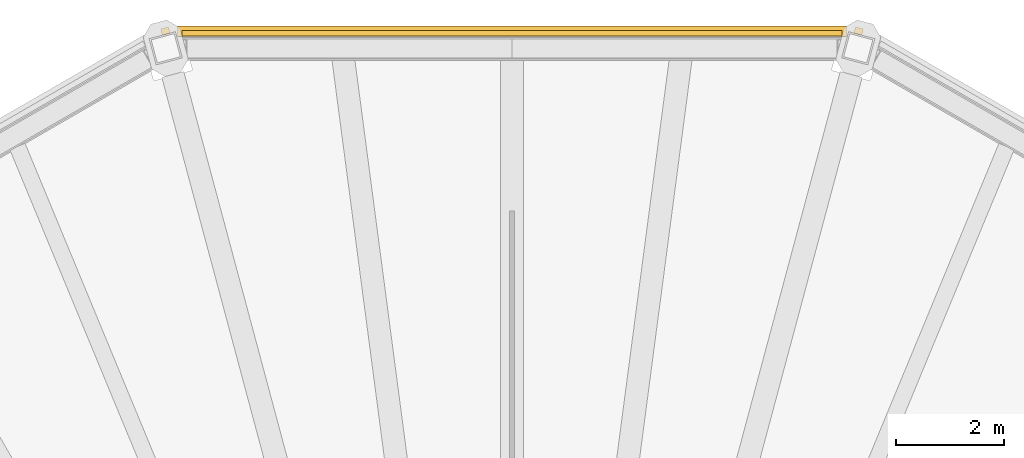
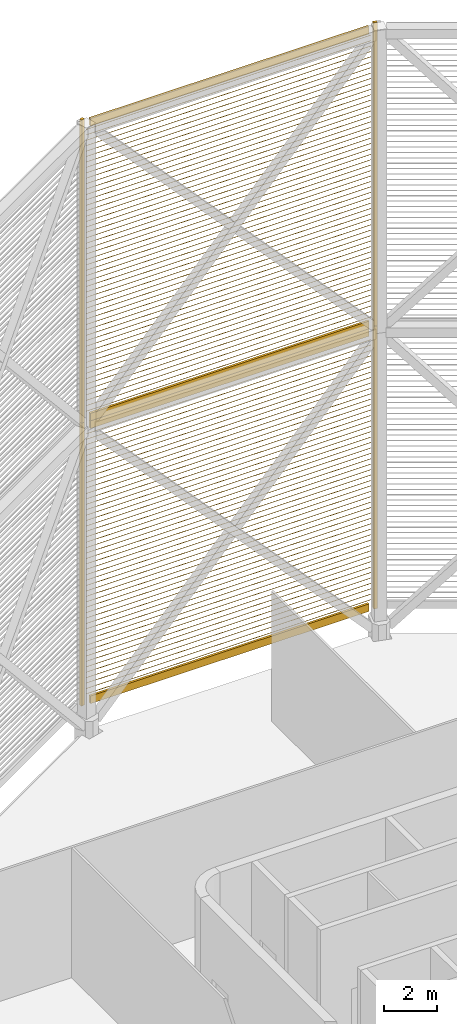
# One storey, part 16 of 18: 2 shading devices.
"""IFC4 building model written with IfcOpenShell, lengths in metres."""

from ifc_helpers import new_model, si_unit, direction, frame, origin, origin_2d, place, context, subcontext, project, spatial, rectangle, extrude, material, type_object, element, save


model = new_model("IFC4")

# Units and contexts
model_context = context("Model", 3, precision=1e-05, world=origin(), true_north=direction((0.0, 1.0)))
body_context = subcontext(model_context, "Body", "Model", "MODEL_VIEW")
ifc_project = project(units=[si_unit("LENGTHUNIT", "METRE"), si_unit("AREAUNIT", "SQUARE_METRE"), si_unit("VOLUMEUNIT", "CUBIC_METRE"), si_unit("PLANEANGLEUNIT", "RADIAN"), si_unit("MASSUNIT", "GRAM", prefix="KILO")], contexts=[model_context])

# Site, building, storey
site_placement = place(None, origin())
site = spatial("IfcSite", under=ifc_project, at=site_placement, CompositionType="ELEMENT")
building_placement = place(site_placement, origin())
building = spatial("IfcBuilding", under=site, at=building_placement, Name="Sahrelin Media Tower", CompositionType="ELEMENT")
storey_placement = place(building_placement, frame((0.0, 0.0, 335.800048828125)))
storey = spatial("IfcBuildingStorey", under=building, at=storey_placement, Name="Crown", CompositionType="ELEMENT", Elevation=335.800048828125)

# Shading devices
ifc_material = material(Name="Champagne anodised aluminium 6063-T6", Category="aluminium")
shading_device_type = type_object("IfcShadingDeviceType", Name="Crown louvre screen", PredefinedType="USERDEFINED", material=ifc_material)
shading_device_1_placement = place(storey_placement, frame((6.38525390625, 23.830078125, 0.949951171875), z_axis=(0.0, 0.0, 1.0), x_axis=(1.0, 0.0, 0.0)))
element("IfcShadingDevice", 1, at=shading_device_1_placement, inside=storey, type_object=shading_device_type, Name="Crown louvre screen CS-02A", ObjectType="LOUVRE", PredefinedType="USERDEFINED", context=body_context, shape_type="SweptSolid", body=[
    extrude(rectangle(XDim=0.10009765625, YDim=0.35009765625, at=origin_2d()), frame((-0.300048828125, 0.27490234375, 12.875), z_axis=(-1.0, 0.0, 0.0), x_axis=(0.0, -1.0, 0.0)), (0.0, 0.0, 1.0), 12.170654296875),
    extrude(rectangle(XDim=0.10009765625, YDim=0.35009765625, at=origin_2d()), frame((-0.300048828125, 0.27490234375, 0.175048828125), z_axis=(-1.0, 0.0, 0.0), x_axis=(0.0, -1.0, 0.0)), (0.0, 0.0, 1.0), 12.170654296875),
    extrude(rectangle(XDim=0.1201171875, YDim=0.14990234375, at=origin_2d()), frame((0.0078125, 0.31884765625, 0.0), z_axis=(0.0, 0.0, 1.0), x_axis=(0.258819045103, 0.965925826289, 0.0)), (0.0, 0.0, 1.0), 13.050048828125),
    extrude(rectangle(XDim=0.1201171875, YDim=0.14990234375, at=origin_2d()), frame((-12.7783203125, 0.31884765625, 0.0), z_axis=(0.0, 0.0, 1.0), x_axis=(-0.258819045103, 0.965925826289, 0.0)), (0.0, 0.0, 1.0), 13.050048828125),
    extrude(rectangle(XDim=0.25, YDim=0.02001953125, at=origin_2d()), frame((-0.219970703125, 0.31005859375, 0.449951171875), z_axis=(-1.0, 0.0, 0.0), x_axis=(0.0, -0.766044443119, 0.642787609687)), (0.0, 0.0, 1.0), 12.33056640625),
    extrude(rectangle(XDim=0.25, YDim=0.02001953125, at=origin_2d()), frame((-0.219970703125, 0.31005859375, 0.699951171875), z_axis=(-1.0, 0.0, 0.0), x_axis=(0.0, -0.766044443119, 0.642787609687)), (0.0, 0.0, 1.0), 12.33056640625),
    extrude(rectangle(XDim=0.25, YDim=0.02001953125, at=origin_2d()), frame((-0.219970703125, 0.31005859375, 0.949951171875), z_axis=(-1.0, 0.0, 0.0), x_axis=(0.0, -0.766044443119, 0.642787609687)), (0.0, 0.0, 1.0), 12.33056640625),
    extrude(rectangle(XDim=0.25, YDim=0.02001953125, at=origin_2d()), frame((-0.219970703125, 0.31005859375, 1.199951171875), z_axis=(-1.0, 0.0, 0.0), x_axis=(0.0, -0.766044443119, 0.642787609687)), (0.0, 0.0, 1.0), 12.33056640625),
    extrude(rectangle(XDim=0.25, YDim=0.02001953125, at=origin_2d()), frame((-0.219970703125, 0.31005859375, 1.449951171875), z_axis=(-1.0, 0.0, 0.0), x_axis=(0.0, -0.766044443119, 0.642787609687)), (0.0, 0.0, 1.0), 12.33056640625),
    extrude(rectangle(XDim=0.25, YDim=0.02001953125, at=origin_2d()), frame((-0.219970703125, 0.31005859375, 1.699951171875), z_axis=(-1.0, 0.0, 0.0), x_axis=(0.0, -0.766044443119, 0.642787609687)), (0.0, 0.0, 1.0), 12.33056640625),
    extrude(rectangle(XDim=0.25, YDim=0.02001953125, at=origin_2d()), frame((-0.219970703125, 0.31005859375, 1.949951171875), z_axis=(-1.0, 0.0, 0.0), x_axis=(0.0, -0.766044443119, 0.642787609687)), (0.0, 0.0, 1.0), 12.33056640625),
    extrude(rectangle(XDim=0.25, YDim=0.02001953125, at=origin_2d()), frame((-0.219970703125, 0.31005859375, 2.199951171875), z_axis=(-1.0, 0.0, 0.0), x_axis=(0.0, -0.766044443119, 0.642787609687)), (0.0, 0.0, 1.0), 12.33056640625),
    extrude(rectangle(XDim=0.25, YDim=0.02001953125, at=origin_2d()), frame((-0.219970703125, 0.31005859375, 2.449951171875), z_axis=(-1.0, 0.0, 0.0), x_axis=(0.0, -0.766044443119, 0.642787609687)), (0.0, 0.0, 1.0), 12.33056640625),
    extrude(rectangle(XDim=0.25, YDim=0.02001953125, at=origin_2d()), frame((-0.219970703125, 0.31005859375, 2.699951171875), z_axis=(-1.0, 0.0, 0.0), x_axis=(0.0, -0.766044443119, 0.642787609687)), (0.0, 0.0, 1.0), 12.33056640625),
    extrude(rectangle(XDim=0.25, YDim=0.02001953125, at=origin_2d()), frame((-0.219970703125, 0.31005859375, 2.949951171875), z_axis=(-1.0, 0.0, 0.0), x_axis=(0.0, -0.766044443119, 0.642787609687)), (0.0, 0.0, 1.0), 12.33056640625),
    extrude(rectangle(XDim=0.25, YDim=0.02001953125, at=origin_2d()), frame((-0.219970703125, 0.31005859375, 3.199951171875), z_axis=(-1.0, 0.0, 0.0), x_axis=(0.0, -0.766044443119, 0.642787609687)), (0.0, 0.0, 1.0), 12.33056640625),
    extrude(rectangle(XDim=0.25, YDim=0.02001953125, at=origin_2d()), frame((-0.219970703125, 0.31005859375, 3.449951171875), z_axis=(-1.0, 0.0, 0.0), x_axis=(0.0, -0.766044443119, 0.642787609687)), (0.0, 0.0, 1.0), 12.33056640625),
    extrude(rectangle(XDim=0.25, YDim=0.02001953125, at=origin_2d()), frame((-0.219970703125, 0.31005859375, 3.699951171875), z_axis=(-1.0, 0.0, 0.0), x_axis=(0.0, -0.766044443119, 0.642787609687)), (0.0, 0.0, 1.0), 12.33056640625),
    extrude(rectangle(XDim=0.25, YDim=0.02001953125, at=origin_2d()), frame((-0.219970703125, 0.31005859375, 3.949951171875), z_axis=(-1.0, 0.0, 0.0), x_axis=(0.0, -0.766044443119, 0.642787609687)), (0.0, 0.0, 1.0), 12.33056640625),
    extrude(rectangle(XDim=0.25, YDim=0.02001953125, at=origin_2d()), frame((-0.219970703125, 0.31005859375, 4.199951171875), z_axis=(-1.0, 0.0, 0.0), x_axis=(0.0, -0.766044443119, 0.642787609687)), (0.0, 0.0, 1.0), 12.33056640625),
    extrude(rectangle(XDim=0.25, YDim=0.02001953125, at=origin_2d()), frame((-0.219970703125, 0.31005859375, 4.449951171875), z_axis=(-1.0, 0.0, 0.0), x_axis=(0.0, -0.766044443119, 0.642787609687)), (0.0, 0.0, 1.0), 12.33056640625),
    extrude(rectangle(XDim=0.25, YDim=0.02001953125, at=origin_2d()), frame((-0.219970703125, 0.31005859375, 4.699951171875), z_axis=(-1.0, 0.0, 0.0), x_axis=(0.0, -0.766044443119, 0.642787609687)), (0.0, 0.0, 1.0), 12.33056640625),
    extrude(rectangle(XDim=0.25, YDim=0.02001953125, at=origin_2d()), frame((-0.219970703125, 0.31005859375, 4.949951171875), z_axis=(-1.0, 0.0, 0.0), x_axis=(0.0, -0.766044443119, 0.642787609687)), (0.0, 0.0, 1.0), 12.33056640625),
    extrude(rectangle(XDim=0.25, YDim=0.02001953125, at=origin_2d()), frame((-0.219970703125, 0.31005859375, 5.199951171875), z_axis=(-1.0, 0.0, 0.0), x_axis=(0.0, -0.766044443119, 0.642787609687)), (0.0, 0.0, 1.0), 12.33056640625),
    extrude(rectangle(XDim=0.25, YDim=0.02001953125, at=origin_2d()), frame((-0.219970703125, 0.31005859375, 5.449951171875), z_axis=(-1.0, 0.0, 0.0), x_axis=(0.0, -0.766044443119, 0.642787609687)), (0.0, 0.0, 1.0), 12.33056640625),
    extrude(rectangle(XDim=0.25, YDim=0.02001953125, at=origin_2d()), frame((-0.219970703125, 0.31005859375, 5.699951171875), z_axis=(-1.0, 0.0, 0.0), x_axis=(0.0, -0.766044443119, 0.642787609687)), (0.0, 0.0, 1.0), 12.33056640625),
    extrude(rectangle(XDim=0.25, YDim=0.02001953125, at=origin_2d()), frame((-0.219970703125, 0.31005859375, 5.949951171875), z_axis=(-1.0, 0.0, 0.0), x_axis=(0.0, -0.766044443119, 0.642787609687)), (0.0, 0.0, 1.0), 12.33056640625),
    extrude(rectangle(XDim=0.25, YDim=0.02001953125, at=origin_2d()), frame((-0.219970703125, 0.31005859375, 6.199951171875), z_axis=(-1.0, 0.0, 0.0), x_axis=(0.0, -0.766044443119, 0.642787609687)), (0.0, 0.0, 1.0), 12.33056640625),
    extrude(rectangle(XDim=0.25, YDim=0.02001953125, at=origin_2d()), frame((-0.219970703125, 0.31005859375, 6.449951171875), z_axis=(-1.0, 0.0, 0.0), x_axis=(0.0, -0.766044443119, 0.642787609687)), (0.0, 0.0, 1.0), 12.33056640625),
    extrude(rectangle(XDim=0.25, YDim=0.02001953125, at=origin_2d()), frame((-0.219970703125, 0.31005859375, 6.699951171875), z_axis=(-1.0, 0.0, 0.0), x_axis=(0.0, -0.766044443119, 0.642787609687)), (0.0, 0.0, 1.0), 12.33056640625),
    extrude(rectangle(XDim=0.25, YDim=0.02001953125, at=origin_2d()), frame((-0.219970703125, 0.31005859375, 6.949951171875), z_axis=(-1.0, 0.0, 0.0), x_axis=(0.0, -0.766044443119, 0.642787609687)), (0.0, 0.0, 1.0), 12.33056640625),
    extrude(rectangle(XDim=0.25, YDim=0.02001953125, at=origin_2d()), frame((-0.219970703125, 0.31005859375, 7.199951171875), z_axis=(-1.0, 0.0, 0.0), x_axis=(0.0, -0.766044443119, 0.642787609687)), (0.0, 0.0, 1.0), 12.33056640625),
    extrude(rectangle(XDim=0.25, YDim=0.02001953125, at=origin_2d()), frame((-0.219970703125, 0.31005859375, 7.449951171875), z_axis=(-1.0, 0.0, 0.0), x_axis=(0.0, -0.766044443119, 0.642787609687)), (0.0, 0.0, 1.0), 12.33056640625),
    extrude(rectangle(XDim=0.25, YDim=0.02001953125, at=origin_2d()), frame((-0.219970703125, 0.31005859375, 7.699951171875), z_axis=(-1.0, 0.0, 0.0), x_axis=(0.0, -0.766044443119, 0.642787609687)), (0.0, 0.0, 1.0), 12.33056640625),
    extrude(rectangle(XDim=0.25, YDim=0.02001953125, at=origin_2d()), frame((-0.219970703125, 0.31005859375, 7.949951171875), z_axis=(-1.0, 0.0, 0.0), x_axis=(0.0, -0.766044443119, 0.642787609687)), (0.0, 0.0, 1.0), 12.33056640625),
    extrude(rectangle(XDim=0.25, YDim=0.02001953125, at=origin_2d()), frame((-0.219970703125, 0.31005859375, 8.199951171875), z_axis=(-1.0, 0.0, 0.0), x_axis=(0.0, -0.766044443119, 0.642787609687)), (0.0, 0.0, 1.0), 12.33056640625),
    extrude(rectangle(XDim=0.25, YDim=0.02001953125, at=origin_2d()), frame((-0.219970703125, 0.31005859375, 8.449951171875), z_axis=(-1.0, 0.0, 0.0), x_axis=(0.0, -0.766044443119, 0.642787609687)), (0.0, 0.0, 1.0), 12.33056640625),
    extrude(rectangle(XDim=0.25, YDim=0.02001953125, at=origin_2d()), frame((-0.219970703125, 0.31005859375, 8.699951171875), z_axis=(-1.0, 0.0, 0.0), x_axis=(0.0, -0.766044443119, 0.642787609687)), (0.0, 0.0, 1.0), 12.33056640625),
    extrude(rectangle(XDim=0.25, YDim=0.02001953125, at=origin_2d()), frame((-0.219970703125, 0.31005859375, 8.949951171875), z_axis=(-1.0, 0.0, 0.0), x_axis=(0.0, -0.766044443119, 0.642787609687)), (0.0, 0.0, 1.0), 12.33056640625),
    extrude(rectangle(XDim=0.25, YDim=0.02001953125, at=origin_2d()), frame((-0.219970703125, 0.31005859375, 9.199951171875), z_axis=(-1.0, 0.0, 0.0), x_axis=(0.0, -0.766044443119, 0.642787609687)), (0.0, 0.0, 1.0), 12.33056640625),
    extrude(rectangle(XDim=0.25, YDim=0.02001953125, at=origin_2d()), frame((-0.219970703125, 0.31005859375, 9.449951171875), z_axis=(-1.0, 0.0, 0.0), x_axis=(0.0, -0.766044443119, 0.642787609687)), (0.0, 0.0, 1.0), 12.33056640625),
    extrude(rectangle(XDim=0.25, YDim=0.02001953125, at=origin_2d()), frame((-0.219970703125, 0.31005859375, 9.699951171875), z_axis=(-1.0, 0.0, 0.0), x_axis=(0.0, -0.766044443119, 0.642787609687)), (0.0, 0.0, 1.0), 12.33056640625),
    extrude(rectangle(XDim=0.25, YDim=0.02001953125, at=origin_2d()), frame((-0.219970703125, 0.31005859375, 9.949951171875), z_axis=(-1.0, 0.0, 0.0), x_axis=(0.0, -0.766044443119, 0.642787609687)), (0.0, 0.0, 1.0), 12.33056640625),
    extrude(rectangle(XDim=0.25, YDim=0.02001953125, at=origin_2d()), frame((-0.219970703125, 0.31005859375, 10.199951171875), z_axis=(-1.0, 0.0, 0.0), x_axis=(0.0, -0.766044443119, 0.642787609687)), (0.0, 0.0, 1.0), 12.33056640625),
    extrude(rectangle(XDim=0.25, YDim=0.02001953125, at=origin_2d()), frame((-0.219970703125, 0.31005859375, 10.449951171875), z_axis=(-1.0, 0.0, 0.0), x_axis=(0.0, -0.766044443119, 0.642787609687)), (0.0, 0.0, 1.0), 12.33056640625),
    extrude(rectangle(XDim=0.25, YDim=0.02001953125, at=origin_2d()), frame((-0.219970703125, 0.31005859375, 10.699951171875), z_axis=(-1.0, 0.0, 0.0), x_axis=(0.0, -0.766044443119, 0.642787609687)), (0.0, 0.0, 1.0), 12.33056640625),
    extrude(rectangle(XDim=0.25, YDim=0.02001953125, at=origin_2d()), frame((-0.219970703125, 0.31005859375, 10.949951171875), z_axis=(-1.0, 0.0, 0.0), x_axis=(0.0, -0.766044443119, 0.642787609687)), (0.0, 0.0, 1.0), 12.33056640625),
    extrude(rectangle(XDim=0.25, YDim=0.02001953125, at=origin_2d()), frame((-0.219970703125, 0.31005859375, 11.199951171875), z_axis=(-1.0, 0.0, 0.0), x_axis=(0.0, -0.766044443119, 0.642787609687)), (0.0, 0.0, 1.0), 12.33056640625),
    extrude(rectangle(XDim=0.25, YDim=0.02001953125, at=origin_2d()), frame((-0.219970703125, 0.31005859375, 11.449951171875), z_axis=(-1.0, 0.0, 0.0), x_axis=(0.0, -0.766044443119, 0.642787609687)), (0.0, 0.0, 1.0), 12.33056640625),
    extrude(rectangle(XDim=0.25, YDim=0.02001953125, at=origin_2d()), frame((-0.219970703125, 0.31005859375, 11.699951171875), z_axis=(-1.0, 0.0, 0.0), x_axis=(0.0, -0.766044443119, 0.642787609687)), (0.0, 0.0, 1.0), 12.33056640625),
    extrude(rectangle(XDim=0.25, YDim=0.02001953125, at=origin_2d()), frame((-0.219970703125, 0.31005859375, 11.949951171875), z_axis=(-1.0, 0.0, 0.0), x_axis=(0.0, -0.766044443119, 0.642787609687)), (0.0, 0.0, 1.0), 12.33056640625),
    extrude(rectangle(XDim=0.25, YDim=0.02001953125, at=origin_2d()), frame((-0.219970703125, 0.31005859375, 12.199951171875), z_axis=(-1.0, 0.0, 0.0), x_axis=(0.0, -0.766044443119, 0.642787609687)), (0.0, 0.0, 1.0), 12.33056640625),
    extrude(rectangle(XDim=0.25, YDim=0.02001953125, at=origin_2d()), frame((-0.219970703125, 0.31005859375, 12.449951171875), z_axis=(-1.0, 0.0, 0.0), x_axis=(0.0, -0.766044443119, 0.642787609687)), (0.0, 0.0, 1.0), 12.33056640625),
])
shading_device_2_placement = place(storey_placement, frame((6.38525390625, 23.830078125, 14.0), z_axis=(0.0, 0.0, 1.0), x_axis=(1.0, 0.0, 0.0)))
element("IfcShadingDevice", 2, at=shading_device_2_placement, inside=storey, type_object=shading_device_type, Name="Crown louvre screen CS-02B", ObjectType="LOUVRE", PredefinedType="USERDEFINED", context=body_context, shape_type="SweptSolid", body=[
    extrude(rectangle(XDim=0.10009765625, YDim=0.35009765625, at=origin_2d()), frame((-0.300048828125, 0.27490234375, 13.77490234375), z_axis=(-1.0, 0.0, 0.0), x_axis=(0.0, -1.0, 0.0)), (0.0, 0.0, 1.0), 12.170654296875),
    extrude(rectangle(XDim=0.10009765625, YDim=0.35009765625, at=origin_2d()), frame((-0.300048828125, 0.27490234375, 0.175048828125), z_axis=(-1.0, 0.0, 0.0), x_axis=(0.0, -1.0, 0.0)), (0.0, 0.0, 1.0), 12.170654296875),
    extrude(rectangle(XDim=0.1201171875, YDim=0.14990234375, at=origin_2d()), frame((0.0078125, 0.31884765625, 0.0), z_axis=(0.0, 0.0, 1.0), x_axis=(0.258819045103, 0.965925826289, 0.0)), (0.0, 0.0, 1.0), 14.0),
    extrude(rectangle(XDim=0.1201171875, YDim=0.14990234375, at=origin_2d()), frame((-12.7783203125, 0.31884765625, 0.0), z_axis=(0.0, 0.0, 1.0), x_axis=(-0.258819045103, 0.965925826289, 0.0)), (0.0, 0.0, 1.0), 14.0),
    extrude(rectangle(XDim=0.25, YDim=0.02001953125, at=origin_2d()), frame((-0.219970703125, 0.31005859375, 0.449951171875), z_axis=(-1.0, 0.0, 0.0), x_axis=(0.0, -0.766044443119, 0.642787609687)), (0.0, 0.0, 1.0), 12.33056640625),
    extrude(rectangle(XDim=0.25, YDim=0.02001953125, at=origin_2d()), frame((-0.219970703125, 0.31005859375, 0.699951171875), z_axis=(-1.0, 0.0, 0.0), x_axis=(0.0, -0.766044443119, 0.642787609687)), (0.0, 0.0, 1.0), 12.33056640625),
    extrude(rectangle(XDim=0.25, YDim=0.02001953125, at=origin_2d()), frame((-0.219970703125, 0.31005859375, 0.949951171875), z_axis=(-1.0, 0.0, 0.0), x_axis=(0.0, -0.766044443119, 0.642787609687)), (0.0, 0.0, 1.0), 12.33056640625),
    extrude(rectangle(XDim=0.25, YDim=0.02001953125, at=origin_2d()), frame((-0.219970703125, 0.31005859375, 1.199951171875), z_axis=(-1.0, 0.0, 0.0), x_axis=(0.0, -0.766044443119, 0.642787609687)), (0.0, 0.0, 1.0), 12.33056640625),
    extrude(rectangle(XDim=0.25, YDim=0.02001953125, at=origin_2d()), frame((-0.219970703125, 0.31005859375, 1.449951171875), z_axis=(-1.0, 0.0, 0.0), x_axis=(0.0, -0.766044443119, 0.642787609687)), (0.0, 0.0, 1.0), 12.33056640625),
    extrude(rectangle(XDim=0.25, YDim=0.02001953125, at=origin_2d()), frame((-0.219970703125, 0.31005859375, 1.699951171875), z_axis=(-1.0, 0.0, 0.0), x_axis=(0.0, -0.766044443119, 0.642787609687)), (0.0, 0.0, 1.0), 12.33056640625),
    extrude(rectangle(XDim=0.25, YDim=0.02001953125, at=origin_2d()), frame((-0.219970703125, 0.31005859375, 1.949951171875), z_axis=(-1.0, 0.0, 0.0), x_axis=(0.0, -0.766044443119, 0.642787609687)), (0.0, 0.0, 1.0), 12.33056640625),
    extrude(rectangle(XDim=0.25, YDim=0.02001953125, at=origin_2d()), frame((-0.219970703125, 0.31005859375, 2.199951171875), z_axis=(-1.0, 0.0, 0.0), x_axis=(0.0, -0.766044443119, 0.642787609687)), (0.0, 0.0, 1.0), 12.33056640625),
    extrude(rectangle(XDim=0.25, YDim=0.02001953125, at=origin_2d()), frame((-0.219970703125, 0.31005859375, 2.449951171875), z_axis=(-1.0, 0.0, 0.0), x_axis=(0.0, -0.766044443119, 0.642787609687)), (0.0, 0.0, 1.0), 12.33056640625),
    extrude(rectangle(XDim=0.25, YDim=0.02001953125, at=origin_2d()), frame((-0.219970703125, 0.31005859375, 2.699951171875), z_axis=(-1.0, 0.0, 0.0), x_axis=(0.0, -0.766044443119, 0.642787609687)), (0.0, 0.0, 1.0), 12.33056640625),
    extrude(rectangle(XDim=0.25, YDim=0.02001953125, at=origin_2d()), frame((-0.219970703125, 0.31005859375, 2.949951171875), z_axis=(-1.0, 0.0, 0.0), x_axis=(0.0, -0.766044443119, 0.642787609687)), (0.0, 0.0, 1.0), 12.33056640625),
    extrude(rectangle(XDim=0.25, YDim=0.02001953125, at=origin_2d()), frame((-0.219970703125, 0.31005859375, 3.199951171875), z_axis=(-1.0, 0.0, 0.0), x_axis=(0.0, -0.766044443119, 0.642787609687)), (0.0, 0.0, 1.0), 12.33056640625),
    extrude(rectangle(XDim=0.25, YDim=0.02001953125, at=origin_2d()), frame((-0.219970703125, 0.31005859375, 3.449951171875), z_axis=(-1.0, 0.0, 0.0), x_axis=(0.0, -0.766044443119, 0.642787609687)), (0.0, 0.0, 1.0), 12.33056640625),
    extrude(rectangle(XDim=0.25, YDim=0.02001953125, at=origin_2d()), frame((-0.219970703125, 0.31005859375, 3.699951171875), z_axis=(-1.0, 0.0, 0.0), x_axis=(0.0, -0.766044443119, 0.642787609687)), (0.0, 0.0, 1.0), 12.33056640625),
    extrude(rectangle(XDim=0.25, YDim=0.02001953125, at=origin_2d()), frame((-0.219970703125, 0.31005859375, 3.949951171875), z_axis=(-1.0, 0.0, 0.0), x_axis=(0.0, -0.766044443119, 0.642787609687)), (0.0, 0.0, 1.0), 12.33056640625),
    extrude(rectangle(XDim=0.25, YDim=0.02001953125, at=origin_2d()), frame((-0.219970703125, 0.31005859375, 4.199951171875), z_axis=(-1.0, 0.0, 0.0), x_axis=(0.0, -0.766044443119, 0.642787609687)), (0.0, 0.0, 1.0), 12.33056640625),
    extrude(rectangle(XDim=0.25, YDim=0.02001953125, at=origin_2d()), frame((-0.219970703125, 0.31005859375, 4.449951171875), z_axis=(-1.0, 0.0, 0.0), x_axis=(0.0, -0.766044443119, 0.642787609687)), (0.0, 0.0, 1.0), 12.33056640625),
    extrude(rectangle(XDim=0.25, YDim=0.02001953125, at=origin_2d()), frame((-0.219970703125, 0.31005859375, 4.699951171875), z_axis=(-1.0, 0.0, 0.0), x_axis=(0.0, -0.766044443119, 0.642787609687)), (0.0, 0.0, 1.0), 12.33056640625),
    extrude(rectangle(XDim=0.25, YDim=0.02001953125, at=origin_2d()), frame((-0.219970703125, 0.31005859375, 4.949951171875), z_axis=(-1.0, 0.0, 0.0), x_axis=(0.0, -0.766044443119, 0.642787609687)), (0.0, 0.0, 1.0), 12.33056640625),
    extrude(rectangle(XDim=0.25, YDim=0.02001953125, at=origin_2d()), frame((-0.219970703125, 0.31005859375, 5.199951171875), z_axis=(-1.0, 0.0, 0.0), x_axis=(0.0, -0.766044443119, 0.642787609687)), (0.0, 0.0, 1.0), 12.33056640625),
    extrude(rectangle(XDim=0.25, YDim=0.02001953125, at=origin_2d()), frame((-0.219970703125, 0.31005859375, 5.449951171875), z_axis=(-1.0, 0.0, 0.0), x_axis=(0.0, -0.766044443119, 0.642787609687)), (0.0, 0.0, 1.0), 12.33056640625),
    extrude(rectangle(XDim=0.25, YDim=0.02001953125, at=origin_2d()), frame((-0.219970703125, 0.31005859375, 5.699951171875), z_axis=(-1.0, 0.0, 0.0), x_axis=(0.0, -0.766044443119, 0.642787609687)), (0.0, 0.0, 1.0), 12.33056640625),
    extrude(rectangle(XDim=0.25, YDim=0.02001953125, at=origin_2d()), frame((-0.219970703125, 0.31005859375, 5.949951171875), z_axis=(-1.0, 0.0, 0.0), x_axis=(0.0, -0.766044443119, 0.642787609687)), (0.0, 0.0, 1.0), 12.33056640625),
    extrude(rectangle(XDim=0.25, YDim=0.02001953125, at=origin_2d()), frame((-0.219970703125, 0.31005859375, 6.199951171875), z_axis=(-1.0, 0.0, 0.0), x_axis=(0.0, -0.766044443119, 0.642787609687)), (0.0, 0.0, 1.0), 12.33056640625),
    extrude(rectangle(XDim=0.25, YDim=0.02001953125, at=origin_2d()), frame((-0.219970703125, 0.31005859375, 6.449951171875), z_axis=(-1.0, 0.0, 0.0), x_axis=(0.0, -0.766044443119, 0.642787609687)), (0.0, 0.0, 1.0), 12.33056640625),
    extrude(rectangle(XDim=0.25, YDim=0.02001953125, at=origin_2d()), frame((-0.219970703125, 0.31005859375, 6.699951171875), z_axis=(-1.0, 0.0, 0.0), x_axis=(0.0, -0.766044443119, 0.642787609687)), (0.0, 0.0, 1.0), 12.33056640625),
    extrude(rectangle(XDim=0.25, YDim=0.02001953125, at=origin_2d()), frame((-0.219970703125, 0.31005859375, 6.949951171875), z_axis=(-1.0, 0.0, 0.0), x_axis=(0.0, -0.766044443119, 0.642787609687)), (0.0, 0.0, 1.0), 12.33056640625),
    extrude(rectangle(XDim=0.25, YDim=0.02001953125, at=origin_2d()), frame((-0.219970703125, 0.31005859375, 7.199951171875), z_axis=(-1.0, 0.0, 0.0), x_axis=(0.0, -0.766044443119, 0.642787609687)), (0.0, 0.0, 1.0), 12.33056640625),
    extrude(rectangle(XDim=0.25, YDim=0.02001953125, at=origin_2d()), frame((-0.219970703125, 0.31005859375, 7.449951171875), z_axis=(-1.0, 0.0, 0.0), x_axis=(0.0, -0.766044443119, 0.642787609687)), (0.0, 0.0, 1.0), 12.33056640625),
    extrude(rectangle(XDim=0.25, YDim=0.02001953125, at=origin_2d()), frame((-0.219970703125, 0.31005859375, 7.699951171875), z_axis=(-1.0, 0.0, 0.0), x_axis=(0.0, -0.766044443119, 0.642787609687)), (0.0, 0.0, 1.0), 12.33056640625),
    extrude(rectangle(XDim=0.25, YDim=0.02001953125, at=origin_2d()), frame((-0.219970703125, 0.31005859375, 7.949951171875), z_axis=(-1.0, 0.0, 0.0), x_axis=(0.0, -0.766044443119, 0.642787609687)), (0.0, 0.0, 1.0), 12.33056640625),
    extrude(rectangle(XDim=0.25, YDim=0.02001953125, at=origin_2d()), frame((-0.219970703125, 0.31005859375, 8.199951171875), z_axis=(-1.0, 0.0, 0.0), x_axis=(0.0, -0.766044443119, 0.642787609687)), (0.0, 0.0, 1.0), 12.33056640625),
    extrude(rectangle(XDim=0.25, YDim=0.02001953125, at=origin_2d()), frame((-0.219970703125, 0.31005859375, 8.449951171875), z_axis=(-1.0, 0.0, 0.0), x_axis=(0.0, -0.766044443119, 0.642787609687)), (0.0, 0.0, 1.0), 12.33056640625),
    extrude(rectangle(XDim=0.25, YDim=0.02001953125, at=origin_2d()), frame((-0.219970703125, 0.31005859375, 8.699951171875), z_axis=(-1.0, 0.0, 0.0), x_axis=(0.0, -0.766044443119, 0.642787609687)), (0.0, 0.0, 1.0), 12.33056640625),
    extrude(rectangle(XDim=0.25, YDim=0.02001953125, at=origin_2d()), frame((-0.219970703125, 0.31005859375, 8.949951171875), z_axis=(-1.0, 0.0, 0.0), x_axis=(0.0, -0.766044443119, 0.642787609687)), (0.0, 0.0, 1.0), 12.33056640625),
    extrude(rectangle(XDim=0.25, YDim=0.02001953125, at=origin_2d()), frame((-0.219970703125, 0.31005859375, 9.199951171875), z_axis=(-1.0, 0.0, 0.0), x_axis=(0.0, -0.766044443119, 0.642787609687)), (0.0, 0.0, 1.0), 12.33056640625),
    extrude(rectangle(XDim=0.25, YDim=0.02001953125, at=origin_2d()), frame((-0.219970703125, 0.31005859375, 9.449951171875), z_axis=(-1.0, 0.0, 0.0), x_axis=(0.0, -0.766044443119, 0.642787609687)), (0.0, 0.0, 1.0), 12.33056640625),
    extrude(rectangle(XDim=0.25, YDim=0.02001953125, at=origin_2d()), frame((-0.219970703125, 0.31005859375, 9.699951171875), z_axis=(-1.0, 0.0, 0.0), x_axis=(0.0, -0.766044443119, 0.642787609687)), (0.0, 0.0, 1.0), 12.33056640625),
    extrude(rectangle(XDim=0.25, YDim=0.02001953125, at=origin_2d()), frame((-0.219970703125, 0.31005859375, 9.949951171875), z_axis=(-1.0, 0.0, 0.0), x_axis=(0.0, -0.766044443119, 0.642787609687)), (0.0, 0.0, 1.0), 12.33056640625),
    extrude(rectangle(XDim=0.25, YDim=0.02001953125, at=origin_2d()), frame((-0.219970703125, 0.31005859375, 10.199951171875), z_axis=(-1.0, 0.0, 0.0), x_axis=(0.0, -0.766044443119, 0.642787609687)), (0.0, 0.0, 1.0), 12.33056640625),
    extrude(rectangle(XDim=0.25, YDim=0.02001953125, at=origin_2d()), frame((-0.219970703125, 0.31005859375, 10.449951171875), z_axis=(-1.0, 0.0, 0.0), x_axis=(0.0, -0.766044443119, 0.642787609687)), (0.0, 0.0, 1.0), 12.33056640625),
    extrude(rectangle(XDim=0.25, YDim=0.02001953125, at=origin_2d()), frame((-0.219970703125, 0.31005859375, 10.699951171875), z_axis=(-1.0, 0.0, 0.0), x_axis=(0.0, -0.766044443119, 0.642787609687)), (0.0, 0.0, 1.0), 12.33056640625),
    extrude(rectangle(XDim=0.25, YDim=0.02001953125, at=origin_2d()), frame((-0.219970703125, 0.31005859375, 10.949951171875), z_axis=(-1.0, 0.0, 0.0), x_axis=(0.0, -0.766044443119, 0.642787609687)), (0.0, 0.0, 1.0), 12.33056640625),
    extrude(rectangle(XDim=0.25, YDim=0.02001953125, at=origin_2d()), frame((-0.219970703125, 0.31005859375, 11.199951171875), z_axis=(-1.0, 0.0, 0.0), x_axis=(0.0, -0.766044443119, 0.642787609687)), (0.0, 0.0, 1.0), 12.33056640625),
    extrude(rectangle(XDim=0.25, YDim=0.02001953125, at=origin_2d()), frame((-0.219970703125, 0.31005859375, 11.449951171875), z_axis=(-1.0, 0.0, 0.0), x_axis=(0.0, -0.766044443119, 0.642787609687)), (0.0, 0.0, 1.0), 12.33056640625),
    extrude(rectangle(XDim=0.25, YDim=0.02001953125, at=origin_2d()), frame((-0.219970703125, 0.31005859375, 11.699951171875), z_axis=(-1.0, 0.0, 0.0), x_axis=(0.0, -0.766044443119, 0.642787609687)), (0.0, 0.0, 1.0), 12.33056640625),
    extrude(rectangle(XDim=0.25, YDim=0.02001953125, at=origin_2d()), frame((-0.219970703125, 0.31005859375, 11.949951171875), z_axis=(-1.0, 0.0, 0.0), x_axis=(0.0, -0.766044443119, 0.642787609687)), (0.0, 0.0, 1.0), 12.33056640625),
    extrude(rectangle(XDim=0.25, YDim=0.02001953125, at=origin_2d()), frame((-0.219970703125, 0.31005859375, 12.199951171875), z_axis=(-1.0, 0.0, 0.0), x_axis=(0.0, -0.766044443119, 0.642787609687)), (0.0, 0.0, 1.0), 12.33056640625),
    extrude(rectangle(XDim=0.25, YDim=0.02001953125, at=origin_2d()), frame((-0.219970703125, 0.31005859375, 12.449951171875), z_axis=(-1.0, 0.0, 0.0), x_axis=(0.0, -0.766044443119, 0.642787609687)), (0.0, 0.0, 1.0), 12.33056640625),
    extrude(rectangle(XDim=0.25, YDim=0.02001953125, at=origin_2d()), frame((-0.219970703125, 0.31005859375, 12.699951171875), z_axis=(-1.0, 0.0, 0.0), x_axis=(0.0, -0.766044443119, 0.642787609687)), (0.0, 0.0, 1.0), 12.33056640625),
    extrude(rectangle(XDim=0.25, YDim=0.02001953125, at=origin_2d()), frame((-0.219970703125, 0.31005859375, 12.949951171875), z_axis=(-1.0, 0.0, 0.0), x_axis=(0.0, -0.766044443119, 0.642787609687)), (0.0, 0.0, 1.0), 12.33056640625),
    extrude(rectangle(XDim=0.25, YDim=0.02001953125, at=origin_2d()), frame((-0.219970703125, 0.31005859375, 13.199951171875), z_axis=(-1.0, 0.0, 0.0), x_axis=(0.0, -0.766044443119, 0.642787609687)), (0.0, 0.0, 1.0), 12.33056640625),
    extrude(rectangle(XDim=0.25, YDim=0.02001953125, at=origin_2d()), frame((-0.219970703125, 0.31005859375, 13.449951171875), z_axis=(-1.0, 0.0, 0.0), x_axis=(0.0, -0.766044443119, 0.642787609687)), (0.0, 0.0, 1.0), 12.33056640625),
])

save(model, "model.ifc")
